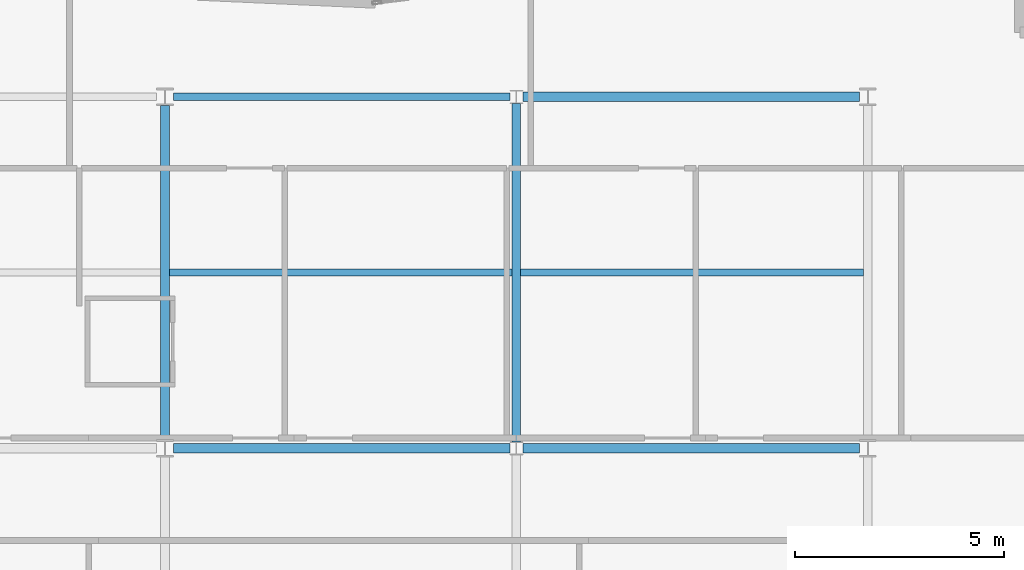
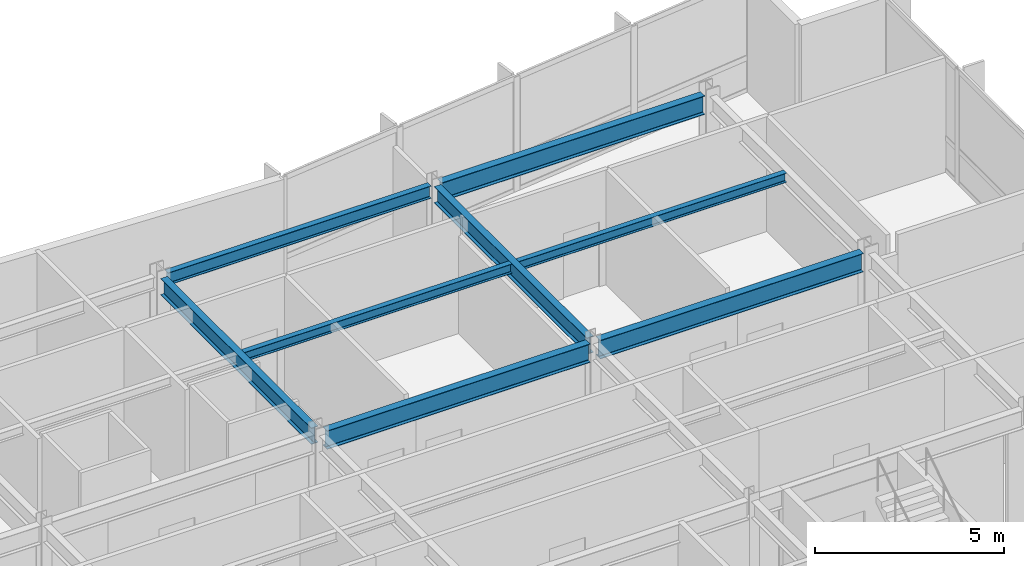
# One storey, part 6 of 19: 8 beams.
"""IFC4 building model written with IfcOpenShell, lengths in metres."""

from ifc_helpers import new_model, si_unit, direction, frame, origin, origin_2d, place, context, subcontext, project, spatial, i_section, extrude, material, material_profile, profile_set, type_object, element, save


model = new_model("IFC4")

# Units and contexts
model_context = context("Model", 3, precision=1e-05, world=origin(), true_north=direction((0.0, 1.0)))
body_context = subcontext(model_context, "Body", "Model", "MODEL_VIEW")
ifc_project = project(units=[si_unit("LENGTHUNIT", "METRE"), si_unit("AREAUNIT", "SQUARE_METRE"), si_unit("VOLUMEUNIT", "CUBIC_METRE"), si_unit("PLANEANGLEUNIT", "RADIAN"), si_unit("MASSUNIT", "GRAM", prefix="KILO")], contexts=[model_context])

# Site, building, storey
site_placement = place(None, origin())
site = spatial("IfcSite", under=ifc_project, at=site_placement, CompositionType="ELEMENT")
building_placement = place(site_placement, origin())
building = spatial("IfcBuilding", under=site, at=building_placement, Name="Varnakote Quay Hospital", CompositionType="ELEMENT")
storey_placement = place(building_placement, frame((0.0, 0.0, 162.60009765625)))
storey = spatial("IfcBuildingStorey", under=building, at=storey_placement, Name="L40", CompositionType="ELEMENT", Elevation=162.60009765625)

# Beams
ifc_material_1 = material(Name="Structural steel AS/NZS 3679.1 Grade 350 L0 (fy 340 MPa)", Category="steel")
ifc_material_profile_1 = material_profile(ifc_material_1, i_section(OverallWidth=0.208984375, OverallDepth=0.532958984375, WebThickness=0.01025390625, FlangeThickness=0.015625, FilletRadius=0.013916015625, at=origin_2d()), Name="530UB92.4")
ifc_profile_set_1 = profile_set([ifc_material_profile_1], Name="Structural steel AS/NZS 3679.1 Grade 350 L0 (fy 340 MPa)")
beam_type_1 = type_object("IfcBeamType", Name="BM-STL-530UB92-4", PredefinedType="BEAM", material=ifc_profile_set_1)
beam_1_placement = place(storey_placement, frame((33.60009765625, 20.610107421875, 3.443359375), z_axis=(0.0, 1.0, 0.0), x_axis=(-1.0, 0.0, 0.0)))
element("IfcBeam", 1, at=beam_1_placement, inside=storey, type_object=beam_type_1, Name="L40 Primary Tie Beam", PredefinedType="BEAM", context=body_context, shape_type="SweptSolid", body=[
    extrude(i_section(OverallWidth=0.208984375, OverallDepth=0.532958984375, WebThickness=0.01025390625, FlangeThickness=0.015625, FilletRadius=0.013916015625, at=origin_2d()), origin(), (0.0, 0.0, 1.0), 7.97998046875),
])
beam_2_placement = place(storey_placement, frame((42.0, 20.5576171875, 3.443359375), z_axis=(0.0, 1.0, 0.0), x_axis=(-1.0, 0.0, 0.0)))
element("IfcBeam", 2, at=beam_2_placement, inside=storey, type_object=beam_type_1, Name="L40 Primary Tie Beam", PredefinedType="BEAM", context=body_context, shape_type="SweptSolid", body=[
    extrude(i_section(OverallWidth=0.208984375, OverallDepth=0.532958984375, WebThickness=0.01025390625, FlangeThickness=0.015625, FilletRadius=0.013916015625, at=origin_2d()), origin(), (0.0, 0.0, 1.0), 8.0849609375),
])
ifc_material_2 = material(Name="Structural steel AS/NZS 3679.1 Grade 350 L0 (fy 340 MPa)", Category="steel")
ifc_material_profile_2 = material_profile(ifc_material_2, i_section(OverallWidth=0.22802734375, OverallDepth=0.60205078125, WebThickness=0.010498046875, FlangeThickness=0.014892578125, FilletRadius=0.013916015625, at=origin_2d()), Name="610UB101")
ifc_profile_set_2 = profile_set([ifc_material_profile_2], Name="Structural steel AS/NZS 3679.1 Grade 350 L0 (fy 340 MPa)")
beam_type_2 = type_object("IfcBeamType", Name="BM-STL-610UB101", PredefinedType="BEAM", material=ifc_profile_set_2)
for number, where, z_axis, x_axis, name in (
    (3, (33.800048828125, 20.39990234375, 3.408935546875), (1.0, 0.0, 0.0), (0.0, 1.0, 0.0), "L40 Primary Floor Beam"),
    (4, (42.153564453125, 20.39990234375, 3.408935546875), (1.0, 0.0, 0.0), (0.0, 1.0, 0.0), "L40 Primary Floor Beam"),
    (5, (42.153564453125, 28.800048828125, 3.408935546875), (1.0, 0.0, 0.0), (0.0, 1.0, 0.0), "L40 Primary Floor Beam"),
):
    element("IfcBeam", number, at=place(storey_placement, frame(where, z_axis=z_axis, x_axis=x_axis)), inside=storey, type_object=beam_type_2, Name=name, PredefinedType="BEAM", context=body_context, shape_type="SweptSolid", body=[
        extrude(i_section(OverallWidth=0.22802734375, OverallDepth=0.60205078125, WebThickness=0.010498046875, FlangeThickness=0.014892578125, FilletRadius=0.013916015625, at=origin_2d()), origin(), (0.0, 0.0, 1.0), 8.04638671875),
    ])
ifc_material_3 = material(Name="Structural steel AS/NZS 3679.1 Grade 350 L0 (fy 340 MPa)", Category="steel")
ifc_material_profile_3 = material_profile(ifc_material_3, i_section(OverallWidth=0.1650390625, OverallDepth=0.303955078125, WebThickness=0.006103515625, FlangeThickness=0.01025390625, FilletRadius=0.011474609375, at=origin_2d()), Name="310UB40.4")
ifc_profile_set_3 = profile_set([ifc_material_profile_3], Name="Structural steel AS/NZS 3679.1 Grade 350 L0 (fy 340 MPa)")
beam_type_3 = type_object("IfcBeamType", Name="JST-STL-310UB40-4", PredefinedType="JOIST", material=ifc_profile_set_3)
for number, where, z_axis, x_axis, name in (
    (6, (33.70458984375, 24.60009765625, 3.557861328125), (1.0, 0.0, 0.0), (0.0, 1.0, 0.0), "L40 Composite Floor Joist"),
    (7, (42.1044921875, 24.60009765625, 3.557861328125), (1.0, 0.0, 0.0), (0.0, 1.0, 0.0), "L40 Composite Floor Joist"),
):
    element("IfcBeam", number, at=place(storey_placement, frame(where, z_axis=z_axis, x_axis=x_axis)), inside=storey, type_object=beam_type_3, Name=name, PredefinedType="JOIST", context=body_context, shape_type="SweptSolid", body=[
        extrude(i_section(OverallWidth=0.1650390625, OverallDepth=0.303955078125, WebThickness=0.006103515625, FlangeThickness=0.01025390625, FilletRadius=0.011474609375, at=origin_2d()), origin(), (0.0, 0.0, 1.0), 8.19091796875),
    ])
ifc_material_4 = material(Name="Structural steel AS/NZS 3679.1 Grade 350 L0 (fy 340 MPa)", Category="steel")
ifc_material_profile_4 = material_profile(ifc_material_4, i_section(OverallWidth=0.177978515625, OverallDepth=0.406005859375, WebThickness=0.0078125, FlangeThickness=0.0126953125, FilletRadius=0.011474609375, at=origin_2d()), Name="410UB59.7")
ifc_profile_set_4 = profile_set([ifc_material_profile_4], Name="Structural steel AS/NZS 3679.1 Grade 350 L0 (fy 340 MPa)")
beam_type_4 = type_object("IfcBeamType", Name="SPN-STL-410UB59-7", PredefinedType="SPANDREL", material=ifc_profile_set_4)
beam_3_placement = place(storey_placement, frame((33.800048828125, 28.800048828125, 3.5068359375), z_axis=(1.0, 0.0, 0.0), x_axis=(0.0, 1.0, 0.0)))
element("IfcBeam", 8, at=beam_3_placement, inside=storey, type_object=beam_type_4, Name="L40 Perimeter Spandrel Beam", PredefinedType="SPANDREL", context=body_context, shape_type="SweptSolid", body=[
    extrude(i_section(OverallWidth=0.177978515625, OverallDepth=0.406005859375, WebThickness=0.0078125, FlangeThickness=0.0126953125, FilletRadius=0.011474609375, at=origin_2d()), origin(), (0.0, 0.0, 1.0), 8.04638671875),
])

save(model, "model.ifc")
